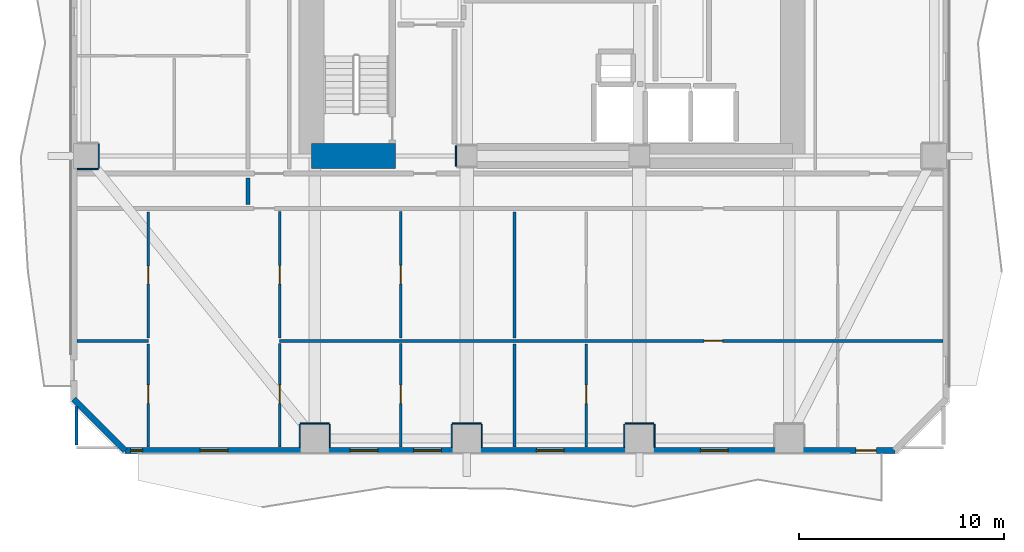
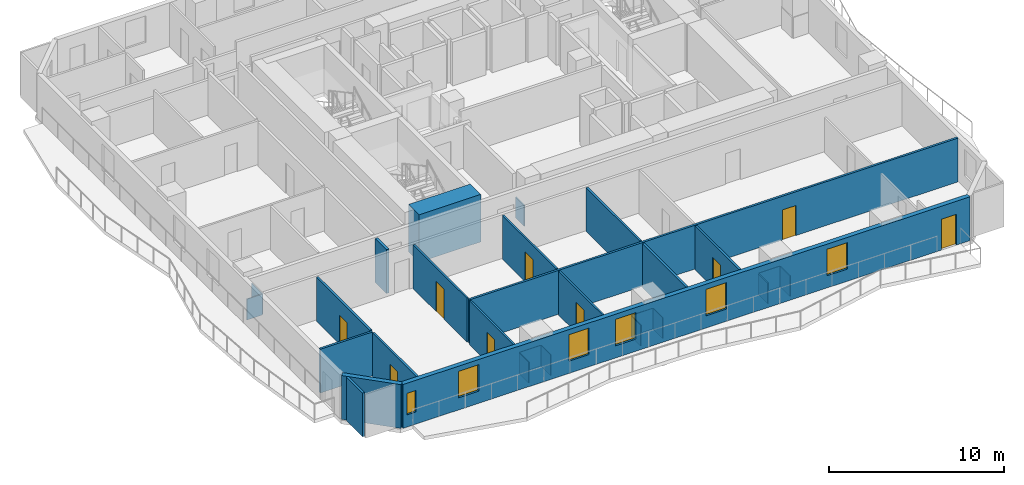
# One storey, part 2 of 11: 28 walls, 9 doors, 6 windows, 15 openings.
"""IFC4 building model written with IfcOpenShell, lengths in metres."""

from ifc_helpers import new_model, si_unit, direction, frame, frame_2d, origin, place, context, subcontext, project, spatial, rectangle, extrude, material, layer, layer_set, type_object, element, fill, save


model = new_model("IFC4")

# Units and contexts
model_context = context("Model", 3, precision=1e-05, world=origin(), true_north=direction((0.0, 1.0)))
body_context = subcontext(model_context, "Body", "Model", "MODEL_VIEW")
ifc_project = project(units=[si_unit("LENGTHUNIT", "METRE"), si_unit("AREAUNIT", "SQUARE_METRE"), si_unit("VOLUMEUNIT", "CUBIC_METRE"), si_unit("PLANEANGLEUNIT", "RADIAN"), si_unit("MASSUNIT", "GRAM", prefix="KILO")], contexts=[model_context])

# Site, building, storey
site_placement = place(None, origin())
site = spatial("IfcSite", under=ifc_project, at=site_placement, CompositionType="ELEMENT")
building_placement = place(site_placement, origin())
building = spatial("IfcBuilding", under=site, at=building_placement, Name="Solanera Arch Residences", CompositionType="ELEMENT")
storey_placement = place(building_placement, frame((0.0, 0.0, 31.9599609375)))
storey = spatial("IfcBuildingStorey", under=building, at=storey_placement, Name="L08", CompositionType="ELEMENT", Elevation=31.9599609375)

# Walls
ifc_material_1 = material(Name="Fire-Rated Gypsum Stud Partition", Category="gypsum")
ifc_layer_1 = layer(ifc_material_1, 0.06005859375)
ifc_layer_set_1 = layer_set([ifc_layer_1], Name="Fire-Rated Gypsum Stud Partition")
wall_type_1 = type_object("IfcWallType", Name="Column Acoustic Furring Wall 60", PredefinedType="PARTITIONING", material=ifc_layer_set_1)
wall_1_placement = place(storey_placement, frame((20.26806640625, 21.5, 0.0), z_axis=(0.0, 0.0, 1.0), x_axis=(0.0, 1.0, 0.0)))
element("IfcWall", 1, at=wall_1_placement, inside=storey, type_object=wall_type_1, Name="L08 Column Furring 1W", PredefinedType="PARTITIONING", context=body_context, shape_type="SweptSolid", body=[
    extrude(rectangle(XDim=1.0, YDim=0.06005859375, at=frame_2d((0.5, 0.0))), origin(), (0.0, 0.0, 1.0), 1.449951171875),
])
wall_2_placement = place(storey_placement, frame((12.699951171875, 8.98193359375, 0.0), z_axis=(0.0, 0.0, 1.0), x_axis=(1.0, 0.0, 0.0)))
element("IfcWall", 2, at=wall_2_placement, inside=storey, type_object=wall_type_1, Name="L08 Column Furring 9N", PredefinedType="PARTITIONING", context=body_context, shape_type="SweptSolid", body=[
    extrude(rectangle(XDim=1.400146484375, YDim=0.06005859375, at=frame_2d((0.7001953125, 0.0))), origin(), (0.0, 0.0, 1.0), 1.449951171875),
])
for number, where, z_axis, x_axis, name in (
    (3, (12.66796875, 7.830078125, 0.0), (0.0, 0.0, 1.0), (0.0, 1.0, 0.0), "L08 Column Furring 9W"),
    (4, (14.132080078125, 7.830078125, 0.0), (0.0, 0.0, 1.0), (0.0, 1.0, 0.0), "L08 Column Furring 9E"),
):
    element("IfcWall", number, at=place(storey_placement, frame(where, z_axis=z_axis, x_axis=x_axis)), inside=storey, type_object=wall_type_1, Name=name, PredefinedType="PARTITIONING", context=body_context, shape_type="SweptSolid", body=[
        extrude(rectangle(XDim=1.119873046875, YDim=0.06005859375, at=frame_2d((0.56005859375, 0.0))), origin(), (0.0, 0.0, 1.0), 1.449951171875),
    ])
wall_3_placement = place(storey_placement, frame((20.10009765625, 8.98193359375, 0.0), z_axis=(0.0, 0.0, 1.0), x_axis=(1.0, 0.0, 0.0)))
element("IfcWall", 5, at=wall_3_placement, inside=storey, type_object=wall_type_1, Name="L08 Column Furring 11N", PredefinedType="PARTITIONING", context=body_context, shape_type="SweptSolid", body=[
    extrude(rectangle(XDim=1.39990234375, YDim=0.06005859375, at=frame_2d((0.699951171875, 0.0))), origin(), (0.0, 0.0, 1.0), 1.449951171875),
])
for number, where, z_axis, x_axis, name in (
    (6, (20.068115234375, 7.830078125, 0.0), (0.0, 0.0, 1.0), (0.0, 1.0, 0.0), "L08 Column Furring 11W"),
    (7, (21.531982421875, 7.830078125, 0.0), (0.0, 0.0, 1.0), (0.0, 1.0, 0.0), "L08 Column Furring 11E"),
):
    element("IfcWall", number, at=place(storey_placement, frame(where, z_axis=z_axis, x_axis=x_axis)), inside=storey, type_object=wall_type_1, Name=name, PredefinedType="PARTITIONING", context=body_context, shape_type="SweptSolid", body=[
        extrude(rectangle(XDim=1.119873046875, YDim=0.06005859375, at=frame_2d((0.56005859375, 0.0))), origin(), (0.0, 0.0, 1.0), 1.449951171875),
    ])
wall_4_placement = place(storey_placement, frame((28.5, 8.98193359375, 0.0), z_axis=(0.0, 0.0, 1.0), x_axis=(1.0, 0.0, 0.0)))
element("IfcWall", 8, at=wall_4_placement, inside=storey, type_object=wall_type_1, Name="L08 Column Furring 13N", PredefinedType="PARTITIONING", context=body_context, shape_type="SweptSolid", body=[
    extrude(rectangle(XDim=1.39990234375, YDim=0.06005859375, at=frame_2d((0.699951171875, 0.0))), origin(), (0.0, 0.0, 1.0), 1.449951171875),
])
for number, where, z_axis, x_axis, name in (
    (9, (28.468017578125, 7.830078125, 0.0), (0.0, 0.0, 1.0), (0.0, 1.0, 0.0), "L08 Column Furring 13W"),
    (10, (29.931884765625, 7.830078125, 0.0), (0.0, 0.0, 1.0), (0.0, 1.0, 0.0), "L08 Column Furring 13E"),
):
    element("IfcWall", number, at=place(storey_placement, frame(where, z_axis=z_axis, x_axis=x_axis)), inside=storey, type_object=wall_type_1, Name=name, PredefinedType="PARTITIONING", context=body_context, shape_type="SweptSolid", body=[
        extrude(rectangle(XDim=1.119873046875, YDim=0.06005859375, at=frame_2d((0.56005859375, 0.0))), origin(), (0.0, 0.0, 1.0), 1.449951171875),
    ])
wall_5_placement = place(storey_placement, frame((1.830078125, 21.367919921875, 0.0), z_axis=(0.0, 0.0, 1.0), x_axis=(1.0, 0.0, 0.0)))
element("IfcWall", 11, at=wall_5_placement, inside=storey, type_object=wall_type_1, Name="L08 Column Furring 17S", PredefinedType="PARTITIONING", context=body_context, shape_type="SweptSolid", body=[
    extrude(rectangle(XDim=1.02001953125, YDim=0.06005859375, at=frame_2d((0.510009765625, 0.0))), origin(), (0.0, 0.0, 1.0), 1.449951171875),
])
wall_6_placement = place(storey_placement, frame((2.882080078125, 21.39990234375, 0.0), z_axis=(0.0, 0.0, 1.0), x_axis=(0.0, 1.0, 0.0)))
element("IfcWall", 12, at=wall_6_placement, inside=storey, type_object=wall_type_1, Name="L08 Column Furring 17E", PredefinedType="PARTITIONING", context=body_context, shape_type="SweptSolid", body=[
    extrude(rectangle(XDim=1.2001953125, YDim=0.06005859375, at=frame_2d((0.60009765625, 0.0))), origin(), (0.0, 0.0, 1.0), 1.449951171875),
])
ifc_material_2 = material(Name="Concrete C55/67 (f'c = 60 MPa)", Category="concrete")
ifc_layer_2 = layer(ifc_material_2, 1.199951171875)
ifc_layer_set_2 = layer_set([ifc_layer_2], Name="Concrete C55/67 (f'c = 60 MPa)")
wall_type_2 = type_object("IfcWallType", Name="Core Shear Wall CW-1200", PredefinedType="SHEAR", material=ifc_layer_set_2)
wall_7_placement = place(storey_placement, frame((13.239990234375, 22.0, 0.0), z_axis=(0.0, 0.0, 1.0), x_axis=(1.0, 0.0, 0.0)))
element("IfcWall", 13, at=wall_7_placement, inside=storey, type_object=wall_type_2, Name="L08 South-West Core Shear Wall", PredefinedType="SHEAR", context=body_context, shape_type="SweptSolid", body=[
    extrude(rectangle(XDim=4.080078125, YDim=1.199951171875, at=frame_2d((2.0400390625, 0.0))), origin(), (0.0, 0.0, 1.0), 3.320068359375),
])
ifc_material_3 = material(Name="Autoclaved Aerated Concrete Blockwork", Category="masonry")
ifc_layer_3 = layer(ifc_material_3, 0.179931640625)
ifc_layer_set_3 = layer_set([ifc_layer_3], Name="Autoclaved Aerated Concrete Blockwork")
wall_type_3 = type_object("IfcWallType", Name="Corridor Fire Partition 180", PredefinedType="PARTITIONING", material=ifc_layer_set_3)
wall_8_placement = place(storey_placement, frame((10.14990234375, 19.637939453125, 0.0), z_axis=(0.0, 0.0, 1.0), x_axis=(0.0, 1.0, 0.0)))
element("IfcWall", 14, at=wall_8_placement, inside=storey, type_object=wall_type_3, Name="L08 Interior Partition V8 1", PredefinedType="PARTITIONING", context=body_context, shape_type="SweptSolid", body=[
    extrude(rectangle(XDim=1.2939453125, YDim=0.179931640625, at=frame_2d((0.64697265625, 0.0))), origin(), (0.0, 0.0, 1.0), 3.06005859375),
])

# Wall, openings, door, windows
ifc_material_4 = material(Name="Precast Concrete C35/45", Category="concrete")
ifc_layer_4 = layer(ifc_material_4, 0.300048828125)
ifc_layer_set_4 = layer_set([ifc_layer_4], Name="Precast Concrete C35/45")
wall_type_4 = type_object("IfcWallType", Name="Exterior Wall Precast Masonry-Frame 300", PredefinedType="STANDARD", material=ifc_layer_set_4)
wall_9_placement = place(storey_placement, frame((41.635009765625, 7.6650390625, 0.0), z_axis=(0.0, 0.0, 1.0), x_axis=(-1.0, 0.0, 0.0)))
wall_9 = element("IfcWall", 15, at=wall_9_placement, inside=storey, type_object=wall_type_4, Name="L08 Tower Exterior Precast Masonry-Frame Wall S", PredefinedType="STANDARD", context=body_context, shape_type="SweptSolid", body=[
    extrude(rectangle(XDim=37.469970703125, YDim=0.300048828125, at=frame_2d((18.73486328125, 0.0))), origin(), (0.0, 0.0, 1.0), 3.06005859375),
])
opening_1_placement = place(wall_9_placement, frame((0.90087890625, 0.0, 0.0)))
opening_1 = element("IfcOpeningElement", 16, at=opening_1_placement, cuts=wall_9, Name="Opening DB-01", PredefinedType="OPENING", context=body_context, shape_type="SweptSolid", body=[
    extrude(rectangle(XDim=1.0, YDim=2.14990234375, at=frame_2d((0.5, 1.074951171875))), frame((0.0, 0.159912109375, 0.0), z_axis=(0.0, -1.0, 0.0), x_axis=(1.0, 0.0, 0.0)), (0.0, 0.0, 1.0), 0.32),
])
opening_2_placement = place(wall_9_placement, frame((32.469970703125, 0.0, 0.85009765625)))
opening_2 = element("IfcOpeningElement", 17, at=opening_2_placement, cuts=wall_9, Name="Opening W-10", PredefinedType="OPENING", context=body_context, shape_type="SweptSolid", body=[
    extrude(rectangle(XDim=1.35009765625, YDim=1.85009765625, at=frame_2d((0.675048828125, 0.925048828125))), frame((0.0, 0.159912109375, 0.0), z_axis=(0.0, -1.0, 0.0), x_axis=(1.0, 0.0, 0.0)), (0.0, 0.0, 1.0), 0.32),
])
opening_3_placement = place(wall_9_placement, frame((36.62109375, 0.0, 0.85009765625)))
opening_3 = element("IfcOpeningElement", 18, at=opening_3_placement, cuts=wall_9, Name="Opening W-14", PredefinedType="OPENING", context=body_context, shape_type="SweptSolid", body=[
    extrude(rectangle(XDim=0.580078125, YDim=1.5, at=frame_2d((0.2900390625, 0.75))), frame((0.0, 0.159912109375, 0.0), z_axis=(0.0, -1.0, 0.0), x_axis=(1.0, 0.0, 0.0)), (0.0, 0.0, 1.0), 0.32),
])
opening_4_placement = place(wall_9_placement, frame((25.169921875, 0.0, 0.85009765625)))
opening_4 = element("IfcOpeningElement", 19, at=opening_4_placement, cuts=wall_9, Name="Opening W-10", PredefinedType="OPENING", context=body_context, shape_type="SweptSolid", body=[
    extrude(rectangle(XDim=1.35009765625, YDim=1.85009765625, at=frame_2d((0.675048828125, 0.925048828125))), frame((0.0, 0.159912109375, 0.0), z_axis=(0.0, -1.0, 0.0), x_axis=(1.0, 0.0, 0.0)), (0.0, 0.0, 1.0), 0.32),
])
opening_5_placement = place(wall_9_placement, frame((22.070068359375, 0.0, 0.85009765625)))
opening_5 = element("IfcOpeningElement", 20, at=opening_5_placement, cuts=wall_9, Name="Opening W-10", PredefinedType="OPENING", context=body_context, shape_type="SweptSolid", body=[
    extrude(rectangle(XDim=1.35009765625, YDim=1.85009765625, at=frame_2d((0.675048828125, 0.925048828125))), frame((0.0, 0.159912109375, 0.0), z_axis=(0.0, -1.0, 0.0), x_axis=(1.0, 0.0, 0.0)), (0.0, 0.0, 1.0), 0.32),
])
opening_6_placement = place(wall_9_placement, frame((8.110107421875, 0.0, 0.85009765625)))
opening_6 = element("IfcOpeningElement", 21, at=opening_6_placement, cuts=wall_9, Name="Opening W-10", PredefinedType="OPENING", context=body_context, shape_type="SweptSolid", body=[
    extrude(rectangle(XDim=1.35009765625, YDim=1.85009765625, at=frame_2d((0.675048828125, 0.925048828125))), frame((0.0, 0.159912109375, 0.0), z_axis=(0.0, -1.0, 0.0), x_axis=(1.0, 0.0, 0.0)), (0.0, 0.0, 1.0), 0.32),
])
opening_7_placement = place(wall_9_placement, frame((16.093994140625, 0.0, 0.85009765625)))
opening_7 = element("IfcOpeningElement", 22, at=opening_7_placement, cuts=wall_9, Name="Opening W-10", PredefinedType="OPENING", context=body_context, shape_type="SweptSolid", body=[
    extrude(rectangle(XDim=1.35009765625, YDim=1.85009765625, at=frame_2d((0.675048828125, 0.925048828125))), frame((0.0, 0.159912109375, 0.0), z_axis=(0.0, -1.0, 0.0), x_axis=(1.0, 0.0, 0.0)), (0.0, 0.0, 1.0), 0.32),
])
ifc_material_5 = material(Name="Anodised Aluminium Alloy 6063-T6", Category="aluminium")
door_type_1 = type_object("IfcDoorType", Name="Glazed Balcony Swing Door DB-01", OperationType="NOTDEFINED", PredefinedType="DOOR", material=ifc_material_5)
door_1_placement = place(opening_1_placement, origin())
door_1 = element("IfcDoor", 23, at=door_1_placement, inside=storey, type_object=door_type_1, Name="DR-L08-OUT-01", OperationType="SINGLE_SWING_RIGHT", OverallHeight=2.14990234375, OverallWidth=1.0, PredefinedType="DOOR", context=body_context, shape_type="SweptSolid", body=[
    extrude(rectangle(XDim=1.0, YDim=2.14990234375, at=frame_2d((0.5, 1.074951171875))), frame((0.0, 0.02490234375, 0.0), z_axis=(0.0, -1.0, 0.0), x_axis=(1.0, 0.0, 0.0)), (0.0, 0.0, 1.0), 0.050048828125),
])
fill(opening_1, door_1)
ifc_material_6 = material(Name="Double Glazed Low-E Laminated Glass", Category="glass")
window_type_1 = type_object("IfcWindowType", Name="Punched Window W-10", PartitioningType="DOUBLE_PANEL_VERTICAL", PredefinedType="WINDOW", material=ifc_material_6)
window_1_placement = place(opening_2_placement, origin())
window_1 = element("IfcWindow", 24, at=window_1_placement, inside=storey, type_object=window_type_1, Name="L08 0801-LIV Punched Window", OverallHeight=1.85009765625, OverallWidth=1.35009765625, PartitioningType="SINGLE_PANEL", PredefinedType="WINDOW", context=body_context, shape_type="SweptSolid", body=[
    extrude(rectangle(XDim=1.35009765625, YDim=1.85009765625, at=frame_2d((0.675048828125, 0.925048828125))), frame((0.0, 0.030029296875, 0.0), z_axis=(0.0, -1.0, 0.0), x_axis=(1.0, 0.0, 0.0)), (0.0, 0.0, 1.0), 0.06005859375),
])
fill(opening_2, window_1)
window_2_placement = place(opening_4_placement, origin())
window_2 = element("IfcWindow", 25, at=window_2_placement, inside=storey, type_object=window_type_1, Name="L08 0801-BR2 Punched Window", OverallHeight=1.85009765625, OverallWidth=1.35009765625, PartitioningType="SINGLE_PANEL", PredefinedType="WINDOW", context=body_context, shape_type="SweptSolid", body=[
    extrude(rectangle(XDim=1.35009765625, YDim=1.85009765625, at=frame_2d((0.675048828125, 0.925048828125))), frame((0.0, 0.030029296875, 0.0), z_axis=(0.0, -1.0, 0.0), x_axis=(1.0, 0.0, 0.0)), (0.0, 0.0, 1.0), 0.06005859375),
])
fill(opening_4, window_2)
window_3_placement = place(opening_5_placement, origin())
window_3 = element("IfcWindow", 26, at=window_3_placement, inside=storey, type_object=window_type_1, Name="L08 0801-BR3 Punched Window", OverallHeight=1.85009765625, OverallWidth=1.35009765625, PartitioningType="SINGLE_PANEL", PredefinedType="WINDOW", context=body_context, shape_type="SweptSolid", body=[
    extrude(rectangle(XDim=1.35009765625, YDim=1.85009765625, at=frame_2d((0.675048828125, 0.925048828125))), frame((0.0, 0.030029296875, 0.0), z_axis=(0.0, -1.0, 0.0), x_axis=(1.0, 0.0, 0.0)), (0.0, 0.0, 1.0), 0.06005859375),
])
fill(opening_5, window_3)
window_4_placement = place(opening_6_placement, origin())
window_4 = element("IfcWindow", 27, at=window_4_placement, inside=storey, type_object=window_type_1, Name="L08 0802-LIV Punched Window", OverallHeight=1.85009765625, OverallWidth=1.35009765625, PartitioningType="SINGLE_PANEL", PredefinedType="WINDOW", context=body_context, shape_type="SweptSolid", body=[
    extrude(rectangle(XDim=1.35009765625, YDim=1.85009765625, at=frame_2d((0.675048828125, 0.925048828125))), frame((0.0, 0.030029296875, 0.0), z_axis=(0.0, -1.0, 0.0), x_axis=(1.0, 0.0, 0.0)), (0.0, 0.0, 1.0), 0.06005859375),
])
fill(opening_6, window_4)
window_5_placement = place(opening_7_placement, origin())
window_5 = element("IfcWindow", 28, at=window_5_placement, inside=storey, type_object=window_type_1, Name="L08 0802-BR1 Punched Window", OverallHeight=1.85009765625, OverallWidth=1.35009765625, PartitioningType="SINGLE_PANEL", PredefinedType="WINDOW", context=body_context, shape_type="SweptSolid", body=[
    extrude(rectangle(XDim=1.35009765625, YDim=1.85009765625, at=frame_2d((0.675048828125, 0.925048828125))), frame((0.0, 0.030029296875, 0.0), z_axis=(0.0, -1.0, 0.0), x_axis=(1.0, 0.0, 0.0)), (0.0, 0.0, 1.0), 0.06005859375),
])
fill(opening_7, window_5)
ifc_material_7 = material(Name="Double Glazed Low-E Laminated Glass", Category="glass")
window_type_2 = type_object("IfcWindowType", Name="Punched Window W-14", PartitioningType="SINGLE_PANEL", PredefinedType="WINDOW", material=ifc_material_7)
window_6_placement = place(opening_3_placement, origin())
window_6 = element("IfcWindow", 29, at=window_6_placement, inside=storey, type_object=window_type_2, Name="L08 0801-BR1 Punched Window", OverallHeight=1.5, OverallWidth=0.580078125, PartitioningType="SINGLE_PANEL", PredefinedType="WINDOW", context=body_context, shape_type="SweptSolid", body=[
    extrude(rectangle(XDim=0.580078125, YDim=1.5, at=frame_2d((0.2900390625, 0.75))), frame((0.0, 0.030029296875, 0.0), z_axis=(0.0, -1.0, 0.0), x_axis=(1.0, 0.0, 0.0)), (0.0, 0.0, 1.0), 0.06005859375),
])
fill(opening_3, window_6)

# Wall
wall_10_placement = place(storey_placement, frame((4.1650390625, 7.6650390625, 0.0), z_axis=(0.0, 0.0, 1.0), x_axis=(-0.707106781187, 0.707106781187, 0.0)))
element("IfcWall", 30, at=wall_10_placement, inside=storey, type_object=wall_type_4, Name="L08 Tower Exterior Precast Masonry-Frame Wall CH7", PredefinedType="STANDARD", context=body_context, shape_type="SweptSolid", body=[
    extrude(rectangle(XDim=3.53564453125, YDim=0.300048828125, at=frame_2d((1.767822265625, 0.0))), origin(), (0.0, 0.0, 1.0), 3.06005859375),
])

# Wall, opening, door
ifc_material_8 = material(Name="Fire-Rated Gypsum Stud Partition", Category="gypsum")
ifc_layer_5 = layer(ifc_material_8, 0.1201171875)
ifc_layer_set_5 = layer_set([ifc_layer_5], Name="Fire-Rated Gypsum Stud Partition")
wall_type_5 = type_object("IfcWallType", Name="Unit Drywall Partition 120", PredefinedType="PARTITIONING", material=ifc_layer_set_5)
wall_11_placement = place(storey_placement, frame((11.68798828125, 7.826904296875, 0.0), z_axis=(0.0, 0.0, 1.0), x_axis=(0.0, 1.0, 0.0)))
wall_11 = element("IfcWall", 31, at=wall_11_placement, inside=storey, type_object=wall_type_5, Name="L08 Interior Partition V22 1", PredefinedType="PARTITIONING", context=body_context, shape_type="SweptSolid", body=[
    extrude(rectangle(XDim=5.03515625, YDim=0.1201171875, at=frame_2d((2.517578125, 0.0))), origin(), (0.0, 0.0, 1.0), 3.06005859375),
])
opening_8_placement = place(wall_11_placement, frame((2.135986328125, 0.0, 0.0)))
opening_8 = element("IfcOpeningElement", 32, at=opening_8_placement, cuts=wall_11, Name="Opening DI-03", PredefinedType="OPENING", context=body_context, shape_type="SweptSolid", body=[
    extrude(rectangle(XDim=0.89990234375, YDim=2.10009765625, at=frame_2d((0.449951171875, 1.050048828125))), frame((0.0, 0.070068359375, 0.0), z_axis=(0.0, -1.0, 0.0), x_axis=(1.0, 0.0, 0.0)), (0.0, 0.0, 1.0), 0.1401),
])
ifc_material_9 = material(Name="Fire-Rated Architectural Hardwood", Category="wood")
door_type_2 = type_object("IfcDoorType", Name="Bedroom Swing Door DI-03", OperationType="NOTDEFINED", PredefinedType="DOOR", material=ifc_material_9)
door_2_placement = place(opening_8_placement, origin())
door_2 = element("IfcDoor", 33, at=door_2_placement, inside=storey, type_object=door_type_2, Name="DR-L08-IN-020", OperationType="SINGLE_SWING_LEFT", OverallHeight=2.10009765625, OverallWidth=0.89990234375, PredefinedType="DOOR", context=body_context, shape_type="SweptSolid", body=[
    extrude(rectangle(XDim=0.89990234375, YDim=2.10009765625, at=frame_2d((0.449951171875, 1.050048828125))), frame((0.0, 0.02490234375, 0.0), z_axis=(0.0, -1.0, 0.0), x_axis=(1.0, 0.0, 0.0)), (0.0, 0.0, 1.0), 0.050048828125),
])
fill(opening_8, door_2)

wall_12_placement = place(storey_placement, frame((11.68798828125, 13.137939453125, 0.0), z_axis=(0.0, 0.0, 1.0), x_axis=(0.0, 1.0, 0.0)))
wall_12 = element("IfcWall", 34, at=wall_12_placement, inside=storey, type_object=wall_type_5, Name="L08 Interior Partition V22 2", PredefinedType="PARTITIONING", context=body_context, shape_type="SweptSolid", body=[
    extrude(rectangle(XDim=6.154052734375, YDim=0.1201171875, at=frame_2d((3.0771484375, 0.0))), origin(), (0.0, 0.0, 1.0), 3.06005859375),
])
opening_9_placement = place(wall_12_placement, frame((2.6240234375, 0.0, 0.0)))
opening_9 = element("IfcOpeningElement", 35, at=opening_9_placement, cuts=wall_12, Name="Opening DI-02", PredefinedType="OPENING", context=body_context, shape_type="SweptSolid", body=[
    extrude(rectangle(XDim=0.89990234375, YDim=2.10009765625, at=frame_2d((0.449951171875, 1.050048828125))), frame((0.0, 0.070068359375, 0.0), z_axis=(0.0, -1.0, 0.0), x_axis=(1.0, 0.0, 0.0)), (0.0, 0.0, 1.0), 0.1401),
])
ifc_material_10 = material(Name="Fire-Rated Architectural Hardwood", Category="wood")
door_type_3 = type_object("IfcDoorType", Name="Suite Room Swing Door DI-02", OperationType="NOTDEFINED", PredefinedType="DOOR", material=ifc_material_10)
door_3_placement = place(opening_9_placement, origin())
door_3 = element("IfcDoor", 36, at=door_3_placement, inside=storey, type_object=door_type_3, Name="DR-L08-IN-018", OperationType="SINGLE_SWING_LEFT", OverallHeight=2.10009765625, OverallWidth=0.89990234375, PredefinedType="DOOR", context=body_context, shape_type="SweptSolid", body=[
    extrude(rectangle(XDim=0.89990234375, YDim=2.10009765625, at=frame_2d((0.449951171875, 1.050048828125))), frame((0.0, 0.02490234375, 0.0), z_axis=(0.0, -1.0, 0.0), x_axis=(1.0, 0.0, 0.0)), (0.0, 0.0, 1.0), 0.050048828125),
])
fill(opening_9, door_3)

wall_13_placement = place(storey_placement, frame((17.5791015625, 7.826904296875, 0.0), z_axis=(0.0, 0.0, 1.0), x_axis=(0.0, 1.0, 0.0)))
wall_13 = element("IfcWall", 37, at=wall_13_placement, inside=storey, type_object=wall_type_5, Name="L08 Interior Partition V24 1", PredefinedType="PARTITIONING", context=body_context, shape_type="SweptSolid", body=[
    extrude(rectangle(XDim=5.03515625, YDim=0.1201171875, at=frame_2d((2.517578125, 0.0))), origin(), (0.0, 0.0, 1.0), 3.06005859375),
])
opening_10_placement = place(wall_13_placement, frame((2.123046875, 0.0, 0.0)))
opening_10 = element("IfcOpeningElement", 38, at=opening_10_placement, cuts=wall_13, Name="Opening DI-03", PredefinedType="OPENING", context=body_context, shape_type="SweptSolid", body=[
    extrude(rectangle(XDim=0.89990234375, YDim=2.10009765625, at=frame_2d((0.449951171875, 1.050048828125))), frame((0.0, 0.070068359375, 0.0), z_axis=(0.0, -1.0, 0.0), x_axis=(1.0, 0.0, 0.0)), (0.0, 0.0, 1.0), 0.1401),
])
door_4_placement = place(opening_10_placement, origin())
door_4 = element("IfcDoor", 39, at=door_4_placement, inside=storey, type_object=door_type_2, Name="DR-L08-IN-021", OperationType="SINGLE_SWING_RIGHT", OverallHeight=2.10009765625, OverallWidth=0.89990234375, PredefinedType="DOOR", context=body_context, shape_type="SweptSolid", body=[
    extrude(rectangle(XDim=0.89990234375, YDim=2.10009765625, at=frame_2d((0.449951171875, 1.050048828125))), frame((0.0, 0.02490234375, 0.0), z_axis=(0.0, -1.0, 0.0), x_axis=(1.0, 0.0, 0.0)), (0.0, 0.0, 1.0), 0.050048828125),
])
fill(opening_10, door_4)

wall_14_placement = place(storey_placement, frame((17.5791015625, 13.137939453125, 0.0), z_axis=(0.0, 0.0, 1.0), x_axis=(0.0, 1.0, 0.0)))
wall_14 = element("IfcWall", 40, at=wall_14_placement, inside=storey, type_object=wall_type_5, Name="L08 Interior Partition V24 2", PredefinedType="PARTITIONING", context=body_context, shape_type="SweptSolid", body=[
    extrude(rectangle(XDim=6.154052734375, YDim=0.1201171875, at=frame_2d((3.0771484375, 0.0))), origin(), (0.0, 0.0, 1.0), 3.06005859375),
])
opening_11_placement = place(wall_14_placement, frame((2.636962890625, 0.0, 0.0)))
opening_11 = element("IfcOpeningElement", 41, at=opening_11_placement, cuts=wall_14, Name="Opening DI-02", PredefinedType="OPENING", context=body_context, shape_type="SweptSolid", body=[
    extrude(rectangle(XDim=0.89990234375, YDim=2.10009765625, at=frame_2d((0.449951171875, 1.050048828125))), frame((0.0, 0.070068359375, 0.0), z_axis=(0.0, -1.0, 0.0), x_axis=(1.0, 0.0, 0.0)), (0.0, 0.0, 1.0), 0.1401),
])
door_5_placement = place(opening_11_placement, origin())
door_5 = element("IfcDoor", 42, at=door_5_placement, inside=storey, type_object=door_type_3, Name="DR-L08-IN-019", OperationType="SINGLE_SWING_RIGHT", OverallHeight=2.10009765625, OverallWidth=0.89990234375, PredefinedType="DOOR", context=body_context, shape_type="SweptSolid", body=[
    extrude(rectangle(XDim=0.89990234375, YDim=2.10009765625, at=frame_2d((0.449951171875, 1.050048828125))), frame((0.0, 0.02490234375, 0.0), z_axis=(0.0, -1.0, 0.0), x_axis=(1.0, 0.0, 0.0)), (0.0, 0.0, 1.0), 0.050048828125),
])
fill(opening_11, door_5)

# Wall
ifc_material_11 = material(Name="Autoclaved Aerated Concrete Blockwork", Category="masonry")
ifc_layer_6 = layer(ifc_material_11, 0.139892578125)
ifc_layer_set_6 = layer_set([ifc_layer_6], Name="Autoclaved Aerated Concrete Blockwork")
wall_type_6 = type_object("IfcWallType", Name="Wet-Room Partition 140", PredefinedType="PARTITIONING", material=ifc_layer_set_6)
wall_15_placement = place(storey_placement, frame((1.826904296875, 13.0, 0.0), z_axis=(0.0, 0.0, 1.0), x_axis=(1.0, 0.0, 0.0)))
element("IfcWall", 43, at=wall_15_placement, inside=storey, type_object=wall_type_6, Name="L08 Interior Partition H13", PredefinedType="PARTITIONING", context=body_context, shape_type="SweptSolid", body=[
    extrude(rectangle(XDim=3.465087890625, YDim=0.139892578125, at=frame_2d((1.732421875, 0.0))), origin(), (0.0, 0.0, 1.0), 3.06005859375),
])

# Wall, opening, door
wall_16_placement = place(storey_placement, frame((11.68798828125, 13.0, 0.0), z_axis=(0.0, 0.0, 1.0), x_axis=(1.0, 0.0, 0.0)))
wall_16 = element("IfcWall", 44, at=wall_16_placement, inside=storey, type_object=wall_type_6, Name="L08 Interior Partition H14", PredefinedType="PARTITIONING", context=body_context, shape_type="SweptSolid", body=[
    extrude(rectangle(XDim=32.284912109375, YDim=0.139892578125, at=frame_2d((16.142578125, 0.0))), origin(), (0.0, 0.0, 1.0), 3.06005859375),
])
opening_12_placement = place(wall_16_placement, frame((20.6640625, 0.0, 0.0)))
opening_12 = element("IfcOpeningElement", 45, at=opening_12_placement, cuts=wall_16, Name="Opening DI-02", PredefinedType="OPENING", context=body_context, shape_type="SweptSolid", body=[
    extrude(rectangle(XDim=0.89990234375, YDim=2.10009765625, at=frame_2d((0.449951171875, 1.050048828125))), frame((0.0, 0.079833984375, 0.0), z_axis=(0.0, -1.0, 0.0), x_axis=(1.0, 0.0, 0.0)), (0.0, 0.0, 1.0), 0.1599),
])
door_6_placement = place(opening_12_placement, origin())
door_6 = element("IfcDoor", 46, at=door_6_placement, inside=storey, type_object=door_type_3, Name="DR-L08-IN-023", OperationType="SINGLE_SWING_RIGHT", OverallHeight=2.10009765625, OverallWidth=0.89990234375, PredefinedType="DOOR", context=body_context, shape_type="SweptSolid", body=[
    extrude(rectangle(XDim=0.89990234375, YDim=2.10009765625, at=frame_2d((0.449951171875, 1.050048828125))), frame((0.0, 0.02490234375, 0.0), z_axis=(0.0, -1.0, 0.0), x_axis=(1.0, 0.0, 0.0)), (0.0, 0.0, 1.0), 0.050048828125),
])
fill(opening_12, door_6)

# Wall
wall_17_placement = place(storey_placement, frame((1.800048828125, 7.93798828125, 0.0), z_axis=(0.0, 0.0, 1.0), x_axis=(0.0, 1.0, 0.0)))
element("IfcWall", 47, at=wall_17_placement, inside=storey, type_object=wall_type_6, Name="L08 Interior Partition V11", PredefinedType="PARTITIONING", context=body_context, shape_type="SweptSolid", body=[
    extrude(rectangle(XDim=1.863037109375, YDim=0.139892578125, at=frame_2d((0.931640625, 0.0))), origin(), (0.0, 0.0, 1.0), 3.06005859375),
])

# Wall, opening, door
wall_18_placement = place(storey_placement, frame((5.2919921875, 7.826904296875, 0.0), z_axis=(0.0, 0.0, 1.0), x_axis=(0.0, 1.0, 0.0)))
wall_18 = element("IfcWall", 48, at=wall_18_placement, inside=storey, type_object=wall_type_6, Name="L08 Interior Partition V14 1", PredefinedType="PARTITIONING", context=body_context, shape_type="SweptSolid", body=[
    extrude(rectangle(XDim=5.025146484375, YDim=0.139892578125, at=frame_2d((2.5126953125, 0.0))), origin(), (0.0, 0.0, 1.0), 3.06005859375),
])
opening_13_placement = place(wall_18_placement, frame((2.135986328125, 0.0, 0.0)))
opening_13 = element("IfcOpeningElement", 49, at=opening_13_placement, cuts=wall_18, Name="Opening DI-03", PredefinedType="OPENING", context=body_context, shape_type="SweptSolid", body=[
    extrude(rectangle(XDim=0.89990234375, YDim=2.10009765625, at=frame_2d((0.449951171875, 1.050048828125))), frame((0.0, 0.079833984375, 0.0), z_axis=(0.0, -1.0, 0.0), x_axis=(1.0, 0.0, 0.0)), (0.0, 0.0, 1.0), 0.1599),
])
door_7_placement = place(opening_13_placement, origin())
door_7 = element("IfcDoor", 50, at=door_7_placement, inside=storey, type_object=door_type_2, Name="DR-L08-IN-017", OperationType="SINGLE_SWING_RIGHT", OverallHeight=2.10009765625, OverallWidth=0.89990234375, PredefinedType="DOOR", context=body_context, shape_type="SweptSolid", body=[
    extrude(rectangle(XDim=0.89990234375, YDim=2.10009765625, at=frame_2d((0.449951171875, 1.050048828125))), frame((0.0, 0.02490234375, 0.0), z_axis=(0.0, -1.0, 0.0), x_axis=(1.0, 0.0, 0.0)), (0.0, 0.0, 1.0), 0.050048828125),
])
fill(opening_13, door_7)

wall_19_placement = place(storey_placement, frame((5.2919921875, 13.14794921875, 0.0), z_axis=(0.0, 0.0, 1.0), x_axis=(0.0, 1.0, 0.0)))
wall_19 = element("IfcWall", 51, at=wall_19_placement, inside=storey, type_object=wall_type_6, Name="L08 Interior Partition V14 2", PredefinedType="PARTITIONING", context=body_context, shape_type="SweptSolid", body=[
    extrude(rectangle(XDim=6.134033203125, YDim=0.139892578125, at=frame_2d((3.06689453125, 0.0))), origin(), (0.0, 0.0, 1.0), 3.06005859375),
])
opening_14_placement = place(wall_19_placement, frame((2.634033203125, 0.0, 0.0)))
opening_14 = element("IfcOpeningElement", 52, at=opening_14_placement, cuts=wall_19, Name="Opening DI-05", PredefinedType="OPENING", context=body_context, shape_type="SweptSolid", body=[
    extrude(rectangle(XDim=0.860107421875, YDim=2.02001953125, at=frame_2d((0.43017578125, 1.010009765625))), frame((0.0, 0.079833984375, 0.0), z_axis=(0.0, -1.0, 0.0), x_axis=(1.0, 0.0, 0.0)), (0.0, 0.0, 1.0), 0.1599),
])
ifc_material_12 = material(Name="Fire-Rated Architectural Hardwood", Category="wood")
door_type_4 = type_object("IfcDoorType", Name="Bathroom Swing Door DI-05", OperationType="NOTDEFINED", PredefinedType="DOOR", material=ifc_material_12)
door_8_placement = place(opening_14_placement, origin())
door_8 = element("IfcDoor", 53, at=door_8_placement, inside=storey, type_object=door_type_4, Name="DR-L08-IN-016", OperationType="SINGLE_SWING_LEFT", OverallHeight=2.02001953125, OverallWidth=0.860107421875, PredefinedType="DOOR", context=body_context, shape_type="SweptSolid", body=[
    extrude(rectangle(XDim=0.860107421875, YDim=2.02001953125, at=frame_2d((0.43017578125, 1.010009765625))), frame((0.0, 0.02490234375, 0.0), z_axis=(0.0, -1.0, 0.0), x_axis=(1.0, 0.0, 0.0)), (0.0, 0.0, 1.0), 0.050048828125),
])
fill(opening_14, door_8)

# Walls
wall_20_placement = place(storey_placement, frame((23.1201171875, 7.826904296875, 0.0), z_axis=(0.0, 0.0, 1.0), x_axis=(0.0, 1.0, 0.0)))
element("IfcWall", 54, at=wall_20_placement, inside=storey, type_object=wall_type_6, Name="L08 Interior Partition V18 1", PredefinedType="PARTITIONING", context=body_context, shape_type="SweptSolid", body=[
    extrude(rectangle(XDim=5.025146484375, YDim=0.139892578125, at=frame_2d((2.5126953125, 0.0))), origin(), (0.0, 0.0, 1.0), 3.06005859375),
])
wall_21_placement = place(storey_placement, frame((23.1201171875, 13.14794921875, 0.0), z_axis=(0.0, 0.0, 1.0), x_axis=(0.0, 1.0, 0.0)))
element("IfcWall", 55, at=wall_21_placement, inside=storey, type_object=wall_type_6, Name="L08 Interior Partition V18 2", PredefinedType="PARTITIONING", context=body_context, shape_type="SweptSolid", body=[
    extrude(rectangle(XDim=6.134033203125, YDim=0.139892578125, at=frame_2d((3.06689453125, 0.0))), origin(), (0.0, 0.0, 1.0), 3.06005859375),
])

# Wall, opening, door
wall_22_placement = place(storey_placement, frame((26.612060546875, 7.826904296875, 0.0), z_axis=(0.0, 0.0, 1.0), x_axis=(0.0, 1.0, 0.0)))
wall_22 = element("IfcWall", 56, at=wall_22_placement, inside=storey, type_object=wall_type_6, Name="L08 Interior Partition V20 1", PredefinedType="PARTITIONING", context=body_context, shape_type="SweptSolid", body=[
    extrude(rectangle(XDim=5.025146484375, YDim=0.139892578125, at=frame_2d((2.5126953125, 0.0))), origin(), (0.0, 0.0, 1.0), 3.06005859375),
])
opening_15_placement = place(wall_22_placement, frame((2.123046875, 0.0, 0.0)))
opening_15 = element("IfcOpeningElement", 57, at=opening_15_placement, cuts=wall_22, Name="Opening DI-03", PredefinedType="OPENING", context=body_context, shape_type="SweptSolid", body=[
    extrude(rectangle(XDim=0.89990234375, YDim=2.10009765625, at=frame_2d((0.449951171875, 1.050048828125))), frame((0.0, 0.079833984375, 0.0), z_axis=(0.0, -1.0, 0.0), x_axis=(1.0, 0.0, 0.0)), (0.0, 0.0, 1.0), 0.1599),
])
door_9_placement = place(opening_15_placement, origin())
door_9 = element("IfcDoor", 58, at=door_9_placement, inside=storey, type_object=door_type_2, Name="DR-L08-IN-025", OperationType="SINGLE_SWING_RIGHT", OverallHeight=2.10009765625, OverallWidth=0.89990234375, PredefinedType="DOOR", context=body_context, shape_type="SweptSolid", body=[
    extrude(rectangle(XDim=0.89990234375, YDim=2.10009765625, at=frame_2d((0.449951171875, 1.050048828125))), frame((0.0, 0.02490234375, 0.0), z_axis=(0.0, -1.0, 0.0), x_axis=(1.0, 0.0, 0.0)), (0.0, 0.0, 1.0), 0.050048828125),
])
fill(opening_15, door_9)

save(model, "model.ifc")
